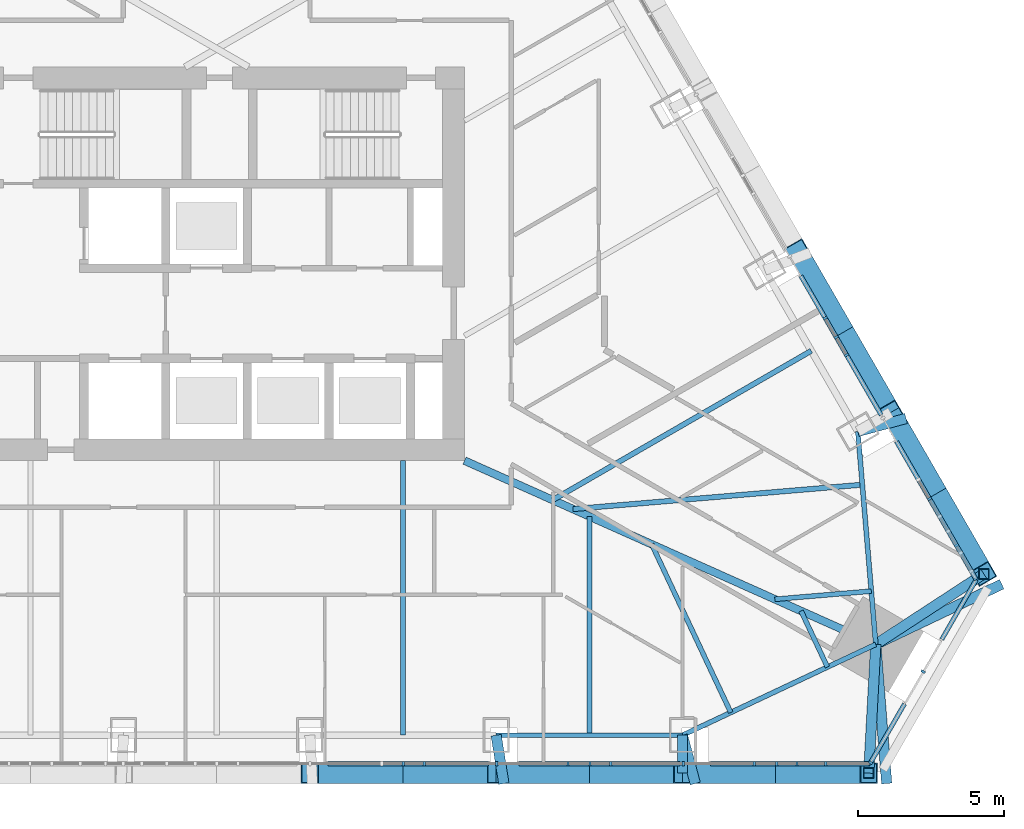
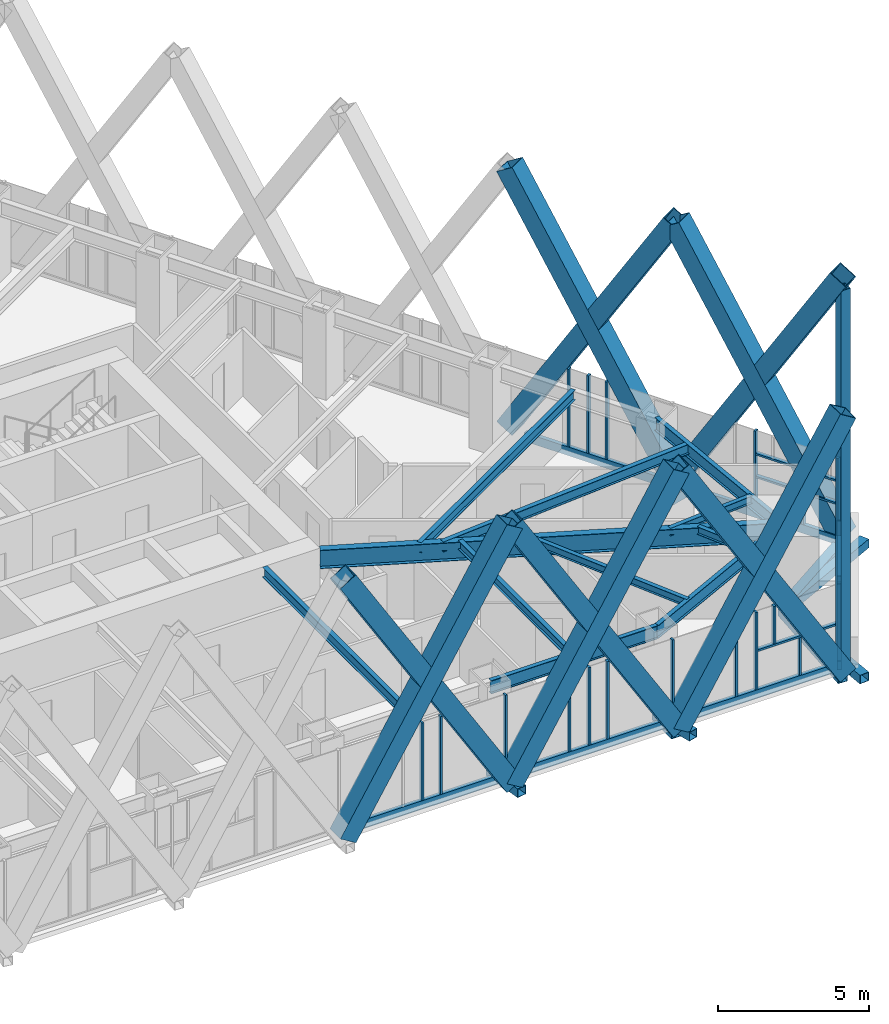
# One storey, part 5 of 21: 49 members, 11 beams, 3 elements without a shape of their own.
"""IFC4 building model written with IfcOpenShell, lengths in metres."""

from ifc_helpers import new_model, si_unit, direction, frame, origin, origin_2d, place, context, subcontext, project, spatial, rectangle, hollow_rectangle, i_section, extrude, material, layer, layer_set, material_profile, profile_set, type_object, element, aggregate, save


model = new_model("IFC4")

# Units and contexts
model_context = context("Model", 3, precision=1e-05, world=origin(), true_north=direction((0.0, 1.0)))
body_context = subcontext(model_context, "Body", "Model", "MODEL_VIEW")
ifc_project = project(units=[si_unit("LENGTHUNIT", "METRE"), si_unit("AREAUNIT", "SQUARE_METRE"), si_unit("VOLUMEUNIT", "CUBIC_METRE"), si_unit("PLANEANGLEUNIT", "RADIAN"), si_unit("MASSUNIT", "GRAM", prefix="KILO")], contexts=[model_context])

# Site, building, storey
site_placement = place(None, origin())
site = spatial("IfcSite", under=ifc_project, at=site_placement, CompositionType="ELEMENT")
building_placement = place(site_placement, origin())
building = spatial("IfcBuilding", under=site, at=building_placement, Name="Firuza Gate Tower and Library", CompositionType="ELEMENT")
storey_placement = place(building_placement, frame((0.0, 0.0, 281.10009765625)))
storey = spatial("IfcBuildingStorey", under=building, at=storey_placement, Name="L67", CompositionType="ELEMENT", Elevation=281.10009765625)

# Members
ifc_material_1 = material(Name="Steel S355", Category="steel")
ifc_material_profile_1 = material_profile(ifc_material_1, hollow_rectangle(XDim=0.699951171875, YDim=0.699951171875, WallThickness=0.030029296875, at=origin_2d()))
ifc_profile_set_1 = profile_set([ifc_material_profile_1], Name="Steel S355")
member_type_1 = type_object("IfcMemberType", Name="BU700x700x30 Lattice brace", PredefinedType="BRACE", material=ifc_profile_set_1)
for number, where, z_axis, x_axis, name in (
    (1, (78.194580078125, 57.531982421875, 0.0), (0.519834148012, 0.0, 0.854267205598), (0.0, 1.0, 0.0), "Lattice brace S 17.5R"),
    (2, (84.583984375, 57.531982421875, 0.0), (-0.519834148012, 0.0, 0.854267205598), (0.0, -1.0, 0.0), "Lattice brace S 17.5L"),
    (3, (84.583984375, 57.531982421875, 0.0), (0.519834148012, 0.0, 0.854267205598), (0.0, 1.0, 0.0), "Lattice brace S 17.6R"),
    (4, (90.973388671875, 57.531982421875, 0.0), (-0.519834148012, 0.0, 0.854267205598), (0.0, -1.0, 0.0), "Lattice brace S 17.6L"),
):
    element("IfcMember", number, at=place(storey_placement, frame(where, z_axis=z_axis, x_axis=x_axis)), inside=storey, type_object=member_type_1, Name=name, PredefinedType="BRACE", context=body_context, shape_type="SweptSolid", body=[
        extrude(hollow_rectangle(XDim=0.699951171875, YDim=0.699951171875, WallThickness=0.030029296875, at=origin_2d()), origin(), (0.0, 0.0, 1.0), 12.291259765625),
    ])
for number, where, z_axis, x_axis, name in (
    (5, (90.973388671875, 57.531982421875, 0.0), (0.519819652329, 0.0, 0.854276026266), (0.0, 1.0, 0.0), "Lattice brace S 17.7R"),
    (6, (97.362548828125, 57.531982421875, 0.0), (-0.519819652329, 0.0, 0.854276026266), (0.0, -1.0, 0.0), "Lattice brace S 17.7L"),
    (7, (101.30908203125, 64.367431640625, 0.0), (-0.259909558467, 0.450178848537, 0.854275146394), (-0.866026504112, -0.499998094172, 0.0), "Lattice brace E 17.1R"),
    (8, (98.114501953125, 69.900634765625, 0.0), (0.259909558467, -0.450178848537, 0.854275146394), (0.866026504112, 0.499998094172, 0.0), "Lattice brace E 17.1L"),
):
    element("IfcMember", number, at=place(storey_placement, frame(where, z_axis=z_axis, x_axis=x_axis)), inside=storey, type_object=member_type_1, Name=name, PredefinedType="BRACE", context=body_context, shape_type="SweptSolid", body=[
        extrude(hollow_rectangle(XDim=0.699951171875, YDim=0.699951171875, WallThickness=0.030029296875, at=origin_2d()), origin(), (0.0, 0.0, 1.0), 12.291015625),
    ])
for number, where, z_axis, x_axis, name in (
    (9, (98.114501953125, 69.900634765625, 0.0), (-0.259925755409, 0.450192361787, 0.854263097098), (-0.866019511163, -0.500010206181, 0.0), "Lattice brace E 17.2R"),
    (10, (94.919677734375, 75.43408203125, 0.0), (0.259925755409, -0.450192361787, 0.854263097098), (0.866019511163, 0.500010206181, 0.0), "Lattice brace E 17.2L"),
):
    element("IfcMember", number, at=place(storey_placement, frame(where, z_axis=z_axis, x_axis=x_axis)), inside=storey, type_object=member_type_1, Name=name, PredefinedType="BRACE", context=body_context, shape_type="SweptSolid", body=[
        extrude(hollow_rectangle(XDim=0.699951171875, YDim=0.699951171875, WallThickness=0.030029296875, at=origin_2d()), origin(), (0.0, 0.0, 1.0), 12.291259765625),
    ])

# Curtain wall, members
ifc_material_2 = material(Name="Aluminium 6063-T6", Category="aluminium")
ifc_layer_1 = layer(ifc_material_2, 0.14990234375)
ifc_layer_set_1 = layer_set([ifc_layer_1], Name="Unitised curtain wall, residences")
curtain_wall_type_1 = type_object("IfcCurtainWallType", Name="Unitised curtain wall, residences", PredefinedType="NOTDEFINED", material=ifc_layer_set_1)
placement = place(storey_placement, origin())
curtain_wall_1 = element("IfcCurtainWall", 11, at=placement, inside=storey, type_object=curtain_wall_type_1, Name="CW3 L67 S face", PredefinedType="NOTDEFINED")
ifc_material_3 = material(Name="Aluminium 6063-T6", Category="aluminium")
ifc_material_profile_2 = material_profile(ifc_material_3, rectangle(XDim=0.14990234375, YDim=0.080078125, at=origin_2d()))
ifc_profile_set_2 = profile_set([ifc_material_profile_2], Name="Aluminium 6063-T6")
member_type_2 = type_object("IfcMemberType", Name="Curtain wall mullion 80x150", PredefinedType="MULLION", material=ifc_profile_set_2)
member_1_placement = place(storey_placement, frame((81.401611328125, 57.85693359375, 0.14990234375), z_axis=(0.0, 0.0, 1.0), x_axis=(0.0, 1.0, 0.0)))
member_1 = element("IfcMember", 12, at=member_1_placement, type_object=member_type_2, Name="Mullion", PredefinedType="MULLION", context=body_context, shape_type="SweptSolid", body=[
    extrude(rectangle(XDim=0.14990234375, YDim=0.080078125, at=origin_2d()), origin(), (0.0, 0.0, 1.0), 3.14990234375),
])
member_2_placement = place(storey_placement, frame((84.6025390625, 57.85693359375, 0.14990234375), z_axis=(0.0, 0.0, 1.0), x_axis=(0.0, 1.0, 0.0)))
member_2 = element("IfcMember", 13, at=member_2_placement, type_object=member_type_2, Name="Mullion", PredefinedType="MULLION", context=body_context, shape_type="SweptSolid", body=[
    extrude(rectangle(XDim=0.14990234375, YDim=0.080078125, at=origin_2d()), origin(), (0.0, 0.0, 1.0), 3.14990234375),
])
member_3_placement = place(storey_placement, frame((87.803466796875, 57.85693359375, 0.14990234375), z_axis=(0.0, 0.0, 1.0), x_axis=(0.0, 1.0, 0.0)))
member_3 = element("IfcMember", 14, at=member_3_placement, type_object=member_type_2, Name="Mullion", PredefinedType="MULLION", context=body_context, shape_type="SweptSolid", body=[
    extrude(rectangle(XDim=0.14990234375, YDim=0.080078125, at=origin_2d()), origin(), (0.0, 0.0, 1.0), 3.14990234375),
])
member_4_placement = place(storey_placement, frame((91.004150390625, 57.85693359375, 0.14990234375), z_axis=(0.0, 0.0, 1.0), x_axis=(0.0, 1.0, 0.0)))
member_4 = element("IfcMember", 15, at=member_4_placement, type_object=member_type_2, Name="Mullion", PredefinedType="MULLION", context=body_context, shape_type="SweptSolid", body=[
    extrude(rectangle(XDim=0.14990234375, YDim=0.080078125, at=origin_2d()), origin(), (0.0, 0.0, 1.0), 3.14990234375),
])
member_5_placement = place(storey_placement, frame((94.205078125, 57.85693359375, 0.14990234375), z_axis=(0.0, 0.0, 1.0), x_axis=(0.0, 1.0, 0.0)))
member_5 = element("IfcMember", 16, at=member_5_placement, type_object=member_type_2, Name="Mullion", PredefinedType="MULLION", context=body_context, shape_type="SweptSolid", body=[
    extrude(rectangle(XDim=0.14990234375, YDim=0.080078125, at=origin_2d()), origin(), (0.0, 0.0, 1.0), 3.14990234375),
])
member_6_placement = place(storey_placement, frame((82.121337890625, 57.85693359375, 0.14990234375), z_axis=(0.0, 0.0, 1.0), x_axis=(0.0, 1.0, 0.0)))
member_6 = element("IfcMember", 17, at=member_6_placement, type_object=member_type_2, Name="Mullion", PredefinedType="MULLION", context=body_context, shape_type="SweptSolid", body=[
    extrude(rectangle(XDim=0.14990234375, YDim=0.080078125, at=origin_2d()), origin(), (0.0, 0.0, 1.0), 3.14990234375),
])
member_7_placement = place(storey_placement, frame((87.046875, 57.85693359375, 0.14990234375), z_axis=(0.0, 0.0, 1.0), x_axis=(0.0, 1.0, 0.0)))
member_7 = element("IfcMember", 18, at=member_7_placement, type_object=member_type_2, Name="Mullion", PredefinedType="MULLION", context=body_context, shape_type="SweptSolid", body=[
    extrude(rectangle(XDim=0.14990234375, YDim=0.080078125, at=origin_2d()), origin(), (0.0, 0.0, 1.0), 3.14990234375),
])
member_8_placement = place(storey_placement, frame((88.510498046875, 57.85693359375, 0.14990234375), z_axis=(0.0, 0.0, 1.0), x_axis=(0.0, 1.0, 0.0)))
member_8 = element("IfcMember", 19, at=member_8_placement, type_object=member_type_2, Name="Mullion", PredefinedType="MULLION", context=body_context, shape_type="SweptSolid", body=[
    extrude(rectangle(XDim=0.14990234375, YDim=0.080078125, at=origin_2d()), origin(), (0.0, 0.0, 1.0), 3.14990234375),
])
member_9_placement = place(storey_placement, frame((93.43603515625, 57.85693359375, 0.14990234375), z_axis=(0.0, 0.0, 1.0), x_axis=(0.0, 1.0, 0.0)))
member_9 = element("IfcMember", 20, at=member_9_placement, type_object=member_type_2, Name="Mullion", PredefinedType="MULLION", context=body_context, shape_type="SweptSolid", body=[
    extrude(rectangle(XDim=0.14990234375, YDim=0.080078125, at=origin_2d()), origin(), (0.0, 0.0, 1.0), 3.14990234375),
])
member_10_placement = place(storey_placement, frame((95.882568359375, 57.85693359375, 0.14990234375), z_axis=(0.0, 0.0, 1.0), x_axis=(0.0, 1.0, 0.0)))
member_10 = element("IfcMember", 21, at=member_10_placement, type_object=member_type_2, Name="Mullion", PredefinedType="MULLION", context=body_context, shape_type="SweptSolid", body=[
    extrude(rectangle(XDim=0.14990234375, YDim=0.080078125, at=origin_2d()), origin(), (0.0, 0.0, 1.0), 1.534912109375),
])
member_11_placement = place(storey_placement, frame((94.89990234375, 57.85693359375, 1.764892578125), z_axis=(0.0, 0.0, 1.0), x_axis=(0.0, 1.0, 0.0)))
member_11 = element("IfcMember", 22, at=member_11_placement, type_object=member_type_2, Name="Mullion", PredefinedType="MULLION", context=body_context, shape_type="SweptSolid", body=[
    extrude(rectangle(XDim=0.14990234375, YDim=0.080078125, at=origin_2d()), origin(), (0.0, 0.0, 1.0), 1.534912109375),
])

ifc_material_4 = material(Name="Aluminium 6063-T6", Category="aluminium")
ifc_layer_2 = layer(ifc_material_4, 0.14990234375)
ifc_layer_set_2 = layer_set([ifc_layer_2], Name="Corner curtain wall, chamfers")
curtain_wall_type_2 = type_object("IfcCurtainWallType", Name="Corner curtain wall, chamfers", PredefinedType="NOTDEFINED", material=ifc_layer_set_2)
curtain_wall_2 = element("IfcCurtainWall", 23, at=placement, inside=storey, type_object=curtain_wall_type_2, Name="CW4 L67 SE corner", PredefinedType="NOTDEFINED")
member_12_placement = place(storey_placement, frame((97.426025390625, 57.8916015625, 0.14990234375), z_axis=(0.0, 0.0, 1.0), x_axis=(-0.866025403784, 0.5, 0.0)))
member_12 = element("IfcMember", 24, at=member_12_placement, type_object=member_type_2, Name="Mullion", PredefinedType="MULLION", context=body_context, shape_type="SweptSolid", body=[
    extrude(rectangle(XDim=0.14990234375, YDim=0.080078125, at=origin_2d()), origin(), (0.0, 0.0, 1.0), 3.14990234375),
])
member_13_placement = place(storey_placement, frame((99.2275390625, 61.01220703125, 0.14990234375), z_axis=(0.0, 0.0, 1.0), x_axis=(-0.866025403784, 0.5, 0.0)))
member_13 = element("IfcMember", 25, at=member_13_placement, type_object=member_type_2, Name="Mullion", PredefinedType="MULLION", context=body_context, shape_type="SweptSolid", body=[
    extrude(rectangle(XDim=0.14990234375, YDim=0.080078125, at=origin_2d()), origin(), (0.0, 0.0, 1.0), 3.14990234375),
])

curtain_wall_3 = element("IfcCurtainWall", 26, at=placement, inside=storey, type_object=curtain_wall_type_1, Name="CW3 L67 E face", PredefinedType="NOTDEFINED")
member_14_placement = place(storey_placement, frame((101.029296875, 64.201904296875, 0.14990234375), z_axis=(0.0, 0.0, 1.0), x_axis=(-0.866025403784, -0.5, 0.0)))
member_14 = element("IfcMember", 27, at=member_14_placement, type_object=member_type_2, Name="Mullion", PredefinedType="MULLION", context=body_context, shape_type="SweptSolid", body=[
    extrude(rectangle(XDim=0.14990234375, YDim=0.080078125, at=origin_2d()), origin(), (0.0, 0.0, 1.0), 3.14990234375),
])
member_15_placement = place(storey_placement, frame((99.44873046875, 66.939453125, 0.14990234375), z_axis=(0.0, 0.0, 1.0), x_axis=(-0.866025403784, -0.5, 0.0)))
member_15 = element("IfcMember", 28, at=member_15_placement, type_object=member_type_2, Name="Mullion", PredefinedType="MULLION", context=body_context, shape_type="SweptSolid", body=[
    extrude(rectangle(XDim=0.14990234375, YDim=0.080078125, at=origin_2d()), origin(), (0.0, 0.0, 1.0), 3.14990234375),
])
member_16_placement = place(storey_placement, frame((96.248046875, 72.4833984375, 0.14990234375), z_axis=(0.0, 0.0, 1.0), x_axis=(-0.866025403784, -0.5, 0.0)))
member_16 = element("IfcMember", 29, at=member_16_placement, type_object=member_type_2, Name="Mullion", PredefinedType="MULLION", context=body_context, shape_type="SweptSolid", body=[
    extrude(rectangle(XDim=0.14990234375, YDim=0.080078125, at=origin_2d()), origin(), (0.0, 0.0, 1.0), 3.14990234375),
])
member_17_placement = place(storey_placement, frame((100.371337890625, 65.341796875, 0.14990234375), z_axis=(0.0, 0.0, 1.0), x_axis=(-0.866025403784, -0.5, 0.0)))
member_17 = element("IfcMember", 30, at=member_17_placement, type_object=member_type_2, Name="Mullion", PredefinedType="MULLION", context=body_context, shape_type="SweptSolid", body=[
    extrude(rectangle(XDim=0.14990234375, YDim=0.080078125, at=origin_2d()), origin(), (0.0, 0.0, 1.0), 1.260009765625),
])
member_18_placement = place(storey_placement, frame((96.6015625, 71.87109375, 0.14990234375), z_axis=(0.0, 0.0, 1.0), x_axis=(-0.866025403784, -0.5, 0.0)))
member_18 = element("IfcMember", 31, at=member_18_placement, type_object=member_type_2, Name="Mullion", PredefinedType="MULLION", context=body_context, shape_type="SweptSolid", body=[
    extrude(rectangle(XDim=0.14990234375, YDim=0.080078125, at=origin_2d()), origin(), (0.0, 0.0, 1.0), 3.14990234375),
])
member_19_placement = place(storey_placement, frame((95.86962890625, 73.138671875, 0.14990234375), z_axis=(0.0, 0.0, 1.0), x_axis=(-0.866025403784, -0.5, 0.0)))
member_19 = element("IfcMember", 32, at=member_19_placement, type_object=member_type_2, Name="Mullion", PredefinedType="MULLION", context=body_context, shape_type="SweptSolid", body=[
    extrude(rectangle(XDim=0.14990234375, YDim=0.080078125, at=origin_2d()), origin(), (0.0, 0.0, 1.0), 3.14990234375),
])

# Member
ifc_material_5 = material(Name="Aluminium 6063-T6", Category="aluminium")
ifc_material_profile_3 = material_profile(ifc_material_5, rectangle(XDim=0.14990234375, YDim=0.35009765625, at=origin_2d()))
ifc_profile_set_3 = profile_set([ifc_material_profile_3], Name="Aluminium 6063-T6")
member_type_3 = type_object("IfcMemberType", Name="Curtain wall transom 350x150", PredefinedType="USERDEFINED", material=ifc_profile_set_3)
member_20_placement = place(storey_placement, frame((78.810302734375, 57.85693359375, -0.025146484375), z_axis=(1.0, 0.0, 0.0), x_axis=(0.0, 1.0, 0.0)))
member_20 = element("IfcMember", 33, at=member_20_placement, type_object=member_type_3, Name="Transom", ObjectType="TRANSOM", PredefinedType="USERDEFINED", context=body_context, shape_type="SweptSolid", body=[
    extrude(rectangle(XDim=0.14990234375, YDim=0.35009765625, at=origin_2d()), origin(), (0.0, 0.0, 1.0), 5.51025390625),
])

member_21_placement = place(storey_placement, frame((85.37548828125, 57.85693359375, -0.025146484375), z_axis=(1.0, 0.0, 0.0), x_axis=(0.0, 1.0, 0.0)))
member_21 = element("IfcMember", 34, at=member_21_placement, type_object=member_type_3, Name="Transom", ObjectType="TRANSOM", PredefinedType="USERDEFINED", context=body_context, shape_type="SweptSolid", body=[
    extrude(rectangle(XDim=0.14990234375, YDim=0.35009765625, at=origin_2d()), origin(), (0.0, 0.0, 1.0), 5.51025390625),
])

member_22_placement = place(storey_placement, frame((91.94091796875, 57.85693359375, -0.025146484375), z_axis=(1.0, 0.0, 0.0), x_axis=(0.0, 1.0, 0.0)))
member_22 = element("IfcMember", 35, at=member_22_placement, type_object=member_type_3, Name="Transom", ObjectType="TRANSOM", PredefinedType="USERDEFINED", context=body_context, shape_type="SweptSolid", body=[
    extrude(rectangle(XDim=0.14990234375, YDim=0.35009765625, at=origin_2d()), origin(), (0.0, 0.0, 1.0), 5.465087890625),
])

member_23_placement = place(storey_placement, frame((97.406005859375, 57.85693359375, -0.025146484375), z_axis=(0.500005632288, 0.866022151957, 0.0), x_axis=(-0.866022151957, 0.500005632288, 0.0)))
member_23 = element("IfcMember", 36, at=member_23_placement, type_object=member_type_3, Name="Transom", ObjectType="TRANSOM", PredefinedType="USERDEFINED", context=body_context, shape_type="SweptSolid", body=[
    extrude(rectangle(XDim=0.14990234375, YDim=0.35009765625, at=origin_2d()), origin(), (0.0, 0.0, 1.0), 2.36328125),
])

member_24_placement = place(storey_placement, frame((99.86767578125, 62.12060546875, -0.025146484375), z_axis=(0.499960902066, 0.86604797581, 0.0), x_axis=(-0.86604797581, 0.499960902066, 0.0)))
member_24 = element("IfcMember", 37, at=member_24_placement, type_object=member_type_3, Name="Transom", ObjectType="TRANSOM", PredefinedType="USERDEFINED", context=body_context, shape_type="SweptSolid", body=[
    extrude(rectangle(XDim=0.14990234375, YDim=0.35009765625, at=origin_2d()), origin(), (0.0, 0.0, 1.0), 2.363525390625),
])

aggregate(curtain_wall_2, [member_12, member_13, member_23, member_24])

member_25_placement = place(storey_placement, frame((101.04931640625, 64.16748046875, -0.025146484375), z_axis=(-0.500016339278, 0.866015970092, 0.0), x_axis=(-0.866015970092, -0.500016339278, 0.0)))
member_25 = element("IfcMember", 38, at=member_25_placement, type_object=member_type_3, Name="Transom", ObjectType="TRANSOM", PredefinedType="USERDEFINED", context=body_context, shape_type="SweptSolid", body=[
    extrude(rectangle(XDim=0.14990234375, YDim=0.35009765625, at=origin_2d()), origin(), (0.0, 0.0, 1.0), 5.465087890625),
])

member_26_placement = place(storey_placement, frame((97.789306640625, 69.81396484375, -0.025146484375), z_axis=(-0.500036938691, 0.866004076171, 0.0), x_axis=(-0.866004076171, -0.500036938691, 0.0)))
member_26 = element("IfcMember", 39, at=member_26_placement, type_object=member_type_3, Name="Transom", ObjectType="TRANSOM", PredefinedType="USERDEFINED", context=body_context, shape_type="SweptSolid", body=[
    extrude(rectangle(XDim=0.14990234375, YDim=0.35009765625, at=origin_2d()), origin(), (0.0, 0.0, 1.0), 5.51025390625),
])

ifc_material_6 = material(Name="Aluminium 6063-T6", Category="aluminium")
ifc_material_profile_4 = material_profile(ifc_material_6, rectangle(XDim=0.14990234375, YDim=0.080078125, at=origin_2d()))
ifc_profile_set_4 = profile_set([ifc_material_profile_4], Name="Aluminium 6063-T6")
member_type_4 = type_object("IfcMemberType", Name="Curtain wall transom 80x150", PredefinedType="USERDEFINED", material=ifc_profile_set_4)
member_27_placement = place(storey_placement, frame((94.2451171875, 57.85693359375, 1.724853515625), z_axis=(1.0, 0.0, 0.0), x_axis=(0.0, 1.0, 0.0)))
member_27 = element("IfcMember", 40, at=member_27_placement, type_object=member_type_4, Name="Transom", ObjectType="TRANSOM", PredefinedType="USERDEFINED", context=body_context, shape_type="SweptSolid", body=[
    extrude(rectangle(XDim=0.14990234375, YDim=0.080078125, at=origin_2d()), origin(), (0.0, 0.0, 1.0), 3.120849609375),
])

aggregate(curtain_wall_1, [member_1, member_2, member_3, member_4, member_5, member_20, member_21, member_22, member_6, member_7, member_8, member_9, member_10, member_11, member_27])

member_28_placement = place(storey_placement, frame((101.029296875, 64.201904296875, 1.449951171875), z_axis=(-0.500009103498, 0.866020147814, 0.0), x_axis=(-0.866020147814, -0.500009103498, 0.0)))
member_28 = element("IfcMember", 41, at=member_28_placement, type_object=member_type_4, Name="Transom", ObjectType="TRANSOM", PredefinedType="USERDEFINED", context=body_context, shape_type="SweptSolid", body=[
    extrude(rectangle(XDim=0.14990234375, YDim=0.080078125, at=origin_2d()), origin(), (0.0, 0.0, 1.0), 3.12109375),
])

member_29_placement = place(storey_placement, frame((101.029296875, 64.201904296875, 2.375), z_axis=(-0.500009103498, 0.866020147814, 0.0), x_axis=(-0.866020147814, -0.500009103498, 0.0)))
member_29 = element("IfcMember", 42, at=member_29_placement, type_object=member_type_4, Name="Transom", ObjectType="TRANSOM", PredefinedType="USERDEFINED", context=body_context, shape_type="SweptSolid", body=[
    extrude(rectangle(XDim=0.14990234375, YDim=0.080078125, at=origin_2d()), origin(), (0.0, 0.0, 1.0), 3.12109375),
])

aggregate(curtain_wall_3, [member_14, member_15, member_16, member_25, member_26, member_17, member_28, member_29, member_18, member_19])

# Members
ifc_material_7 = material(Name="Steel S355", Category="steel")
ifc_material_profile_5 = material_profile(ifc_material_7, hollow_rectangle(XDim=0.355712890625, YDim=0.355712890625, WallThickness=0.014892578125, at=origin_2d()))
ifc_profile_set_5 = profile_set([ifc_material_profile_5], Name="Steel S355")
member_type_5 = type_object("IfcMemberType", Name="HSS356x356x16 Lattice corner stile", PredefinedType="BRACE", material=ifc_profile_set_5)
for number, where, z_axis, x_axis, name in (
    (43, (97.362548828125, 57.531982421875, -0.14013671875), (0.0, 0.0, 1.0), (1.0, 0.0, 0.0), "Lattice corner stile S 17.B"),
    (44, (101.30908203125, 64.367431640625, -0.14013671875), (0.0, 0.0, 1.0), (1.0, 0.0, 0.0), "Lattice corner stile E 17.A"),
):
    element("IfcMember", number, at=place(storey_placement, frame(where, z_axis=z_axis, x_axis=x_axis)), inside=storey, type_object=member_type_5, Name=name, PredefinedType="BRACE", context=body_context, shape_type="SweptSolid", body=[
        extrude(hollow_rectangle(XDim=0.355712890625, YDim=0.355712890625, WallThickness=0.014892578125, at=origin_2d()), origin(), (0.0, 0.0, 1.0), 10.14013671875),
    ])
ifc_material_8 = material(Name="Steel S355", Category="steel")
ifc_material_profile_6 = material_profile(ifc_material_8, hollow_rectangle(XDim=0.355712890625, YDim=0.355712890625, WallThickness=0.014892578125, at=origin_2d()))
ifc_profile_set_6 = profile_set([ifc_material_profile_6], Name="Steel S355")
member_type_6 = type_object("IfcMemberType", Name="HSS356x356x16 Lattice node tie", PredefinedType="BRACE", material=ifc_profile_set_6)
member_30_placement = place(storey_placement, frame((96.988525390625, 69.250732421875, -0.320068359375), z_axis=(0.965392491391, 0.260801337355, 0.0), x_axis=(-0.260801337355, 0.965392491391, 0.0)))
element("IfcMember", 45, at=member_30_placement, inside=storey, type_object=member_type_6, Name="Lattice node tie E L67 435", PredefinedType="BRACE", context=body_context, shape_type="SweptSolid", body=[
    extrude(hollow_rectangle(XDim=0.355712890625, YDim=0.355712890625, WallThickness=0.014892578125, at=origin_2d()), origin(), (0.0, 0.0, 1.0), 1.713134765625),
])
member_31_placement = place(storey_placement, frame((97.603759765625, 61.94970703125, -0.320068359375), z_axis=(0.902515271089, 0.430657851956, 0.0), x_axis=(-0.430657851956, 0.902515271089, 0.0)))
element("IfcMember", 46, at=member_31_placement, inside=storey, type_object=member_type_6, Name="Lattice node tie E L67 437", PredefinedType="BRACE", context=body_context, shape_type="SweptSolid", body=[
    extrude(hollow_rectangle(XDim=0.355712890625, YDim=0.355712890625, WallThickness=0.014892578125, at=origin_2d()), origin(), (0.0, 0.0, 1.0), 4.7880859375),
])
member_32_placement = place(storey_placement, frame((97.603759765625, 61.94970703125, -0.320068359375), z_axis=(0.837485429113, 0.546459656355, 0.0), x_axis=(-0.546459656355, 0.837485429113, 0.0)))
element("IfcMember", 47, at=member_32_placement, inside=storey, type_object=member_type_6, Name="Lattice node tie E L67 438", PredefinedType="BRACE", context=body_context, shape_type="SweptSolid", body=[
    extrude(hollow_rectangle(XDim=0.355712890625, YDim=0.355712890625, WallThickness=0.014892578125, at=origin_2d()), origin(), (0.0, 0.0, 1.0), 4.42431640625),
])
member_33_placement = place(storey_placement, frame((84.583984375, 58.83203125, -0.320068359375), z_axis=(0.157405530455, -0.987534049531, 0.0), x_axis=(0.987534049531, 0.157405530455, 0.0)))
element("IfcMember", 48, at=member_33_placement, inside=storey, type_object=member_type_6, Name="Lattice node tie S L67 446", PredefinedType="BRACE", context=body_context, shape_type="SweptSolid", body=[
    extrude(hollow_rectangle(XDim=0.355712890625, YDim=0.355712890625, WallThickness=0.014892578125, at=origin_2d()), origin(), (0.0, 0.0, 1.0), 1.6767578125),
])
member_34_placement = place(storey_placement, frame((90.973388671875, 58.83203125, -0.320068359375), z_axis=(0.256793327243, -0.966466340378, 0.0), x_axis=(0.966466340378, 0.256793327243, 0.0)))
element("IfcMember", 49, at=member_34_placement, inside=storey, type_object=member_type_6, Name="Lattice node tie S L67 447", PredefinedType="BRACE", context=body_context, shape_type="SweptSolid", body=[
    extrude(hollow_rectangle(XDim=0.355712890625, YDim=0.355712890625, WallThickness=0.014892578125, at=origin_2d()), origin(), (0.0, 0.0, 1.0), 1.713134765625),
])
member_35_placement = place(storey_placement, frame((90.973388671875, 58.83203125, -0.320068359375), z_axis=(0.0, -1.0, 0.0), x_axis=(1.0, 0.0, 0.0)))
element("IfcMember", 50, at=member_35_placement, inside=storey, type_object=member_type_6, Name="Lattice node tie S L67 448", PredefinedType="BRACE", context=body_context, shape_type="SweptSolid", body=[
    extrude(hollow_rectangle(XDim=0.355712890625, YDim=0.355712890625, WallThickness=0.014892578125, at=origin_2d()), origin(), (0.0, 0.0, 1.0), 1.300048828125),
])
member_36_placement = place(storey_placement, frame((97.603759765625, 61.94970703125, -0.320068359375), z_axis=(0.078318433579, -0.996928394099, 0.0), x_axis=(0.996928394099, 0.078318433579, 0.0)))
element("IfcMember", 51, at=member_36_placement, inside=storey, type_object=member_type_6, Name="Lattice node tie S L67 449", PredefinedType="BRACE", context=body_context, shape_type="SweptSolid", body=[
    extrude(hollow_rectangle(XDim=0.355712890625, YDim=0.355712890625, WallThickness=0.014892578125, at=origin_2d()), origin(), (0.0, 0.0, 1.0), 4.7880859375),
])
member_37_placement = place(storey_placement, frame((97.603759765625, 61.94970703125, -0.320068359375), z_axis=(-0.054519511079, -0.998512705433, 0.0), x_axis=(0.998512705433, -0.054519511079, 0.0)))
element("IfcMember", 52, at=member_37_placement, inside=storey, type_object=member_type_6, Name="Lattice node tie S L67 450", PredefinedType="BRACE", context=body_context, shape_type="SweptSolid", body=[
    extrude(hollow_rectangle(XDim=0.355712890625, YDim=0.355712890625, WallThickness=0.014892578125, at=origin_2d()), origin(), (0.0, 0.0, 1.0), 4.42431640625),
])

# Beams
ifc_material_9 = material(Name="Steel S355", Category="steel")
ifc_material_profile_7 = material_profile(ifc_material_9, i_section(OverallWidth=0.1650390625, OverallDepth=0.31005859375, WebThickness=0.005859375, FlangeThickness=0.009765625, at=origin_2d()))
ifc_profile_set_7 = profile_set([ifc_material_profile_7], Name="Steel S355")
beam_type_1 = type_object("IfcBeamType", Name="W310x39 Floor beam", PredefinedType="JOIST", material=ifc_profile_set_7)
beam_1_placement = place(storey_placement, frame((92.630859375, 59.611328125, 3.14501953125), z_axis=(-0.425479956194, 0.904967848532, 0.0), x_axis=(-0.904967848532, -0.425479956194, 0.0)))
element("IfcBeam", 53, at=beam_1_placement, inside=storey, type_object=beam_type_1, Name="Floor beam L67 s30", PredefinedType="JOIST", context=body_context, shape_type="SweptSolid", body=[
    extrude(i_section(OverallWidth=0.1650390625, OverallDepth=0.31005859375, WebThickness=0.005859375, FlangeThickness=0.009765625, at=origin_2d()), origin(), (0.0, 0.0, 1.0), 6.37841796875),
])
beam_2_placement = place(storey_placement, frame((95.9462890625, 61.170166015625, 3.14501953125), z_axis=(-0.425542647258, 0.904938371031, 0.0), x_axis=(-0.904938371031, -0.425542647258, 0.0)))
element("IfcBeam", 54, at=beam_2_placement, inside=storey, type_object=beam_type_1, Name="Floor beam L67 s31", PredefinedType="JOIST", context=body_context, shape_type="SweptSolid", body=[
    extrude(i_section(OverallWidth=0.1650390625, OverallDepth=0.31005859375, WebThickness=0.005859375, FlangeThickness=0.009765625, at=origin_2d()), origin(), (0.0, 0.0, 1.0), 2.126220703125),
])
beam_3_placement = place(storey_placement, frame((97.449951171875, 63.77490234375, 3.14501953125), z_axis=(-0.996467212931, -0.083982697946, 0.0), x_axis=(0.083982697946, -0.996467212931, 0.0)))
element("IfcBeam", 55, at=beam_3_placement, inside=storey, type_object=beam_type_1, Name="Floor beam L67 s40", PredefinedType="JOIST", context=body_context, shape_type="SweptSolid", body=[
    extrude(i_section(OverallWidth=0.1650390625, OverallDepth=0.31005859375, WebThickness=0.005859375, FlangeThickness=0.009765625, at=origin_2d()), origin(), (0.0, 0.0, 1.0), 3.31982421875),
])
ifc_material_10 = material(Name="Steel S355", Category="steel")
ifc_material_profile_8 = material_profile(ifc_material_10, i_section(OverallWidth=0.1708984375, OverallDepth=0.35498046875, WebThickness=0.007080078125, FlangeThickness=0.01171875, at=origin_2d()))
ifc_profile_set_8 = profile_set([ifc_material_profile_8], Name="Steel S355")
beam_type_2 = type_object("IfcBeamType", Name="W360x51 Floor beam", PredefinedType="JOIST", material=ifc_profile_set_8)
beam_4_placement = place(storey_placement, frame((87.778564453125, 58.83203125, 3.122314453125), z_axis=(0.0, 1.0, 0.0), x_axis=(-1.0, 0.0, 0.0)))
element("IfcBeam", 56, at=beam_4_placement, inside=storey, type_object=beam_type_2, Name="Floor beam L67 s24", PredefinedType="JOIST", context=body_context, shape_type="SweptSolid", body=[
    extrude(i_section(OverallWidth=0.1708984375, OverallDepth=0.35498046875, WebThickness=0.007080078125, FlangeThickness=0.01171875, at=origin_2d()), origin(), (0.0, 0.0, 1.0), 7.506591796875),
])
ifc_material_11 = material(Name="Steel S355", Category="steel")
ifc_material_profile_9 = material_profile(ifc_material_11, i_section(OverallWidth=0.177978515625, OverallDepth=0.406982421875, WebThickness=0.0078125, FlangeThickness=0.0126953125, at=origin_2d()))
ifc_profile_set_9 = profile_set([ifc_material_profile_9], Name="Steel S355")
beam_type_3 = type_object("IfcBeamType", Name="W410x60 Floor beam", PredefinedType="JOIST", material=ifc_profile_set_9)
beam_5_placement = place(storey_placement, frame((81.389404296875, 58.83203125, 3.096435546875), z_axis=(0.0, 1.0, 0.0), x_axis=(-1.0, 0.0, 0.0)))
element("IfcBeam", 57, at=beam_5_placement, inside=storey, type_object=beam_type_3, Name="Floor beam L67 s23", PredefinedType="JOIST", context=body_context, shape_type="SweptSolid", body=[
    extrude(i_section(OverallWidth=0.177978515625, OverallDepth=0.406982421875, WebThickness=0.0078125, FlangeThickness=0.0126953125, at=origin_2d()), origin(), (0.0, 0.0, 1.0), 9.41796875),
])
beam_6_placement = place(storey_placement, frame((97.142333984375, 67.425537109375, 3.096435546875), z_axis=(-0.996467212931, -0.083982697946, 0.0), x_axis=(0.083982697946, -0.996467212931, 0.0)))
element("IfcBeam", 58, at=beam_6_placement, inside=storey, type_object=beam_type_3, Name="Floor beam L67 s41", PredefinedType="JOIST", context=body_context, shape_type="SweptSolid", body=[
    extrude(i_section(OverallWidth=0.177978515625, OverallDepth=0.406982421875, WebThickness=0.0078125, FlangeThickness=0.0126953125, at=origin_2d()), origin(), (0.0, 0.0, 1.0), 9.95947265625),
])
beam_7_placement = place(storey_placement, frame((95.391357421875, 72.017333984375, 3.096435546875), z_axis=(-0.866036270578, -0.499981177689, 0.0), x_axis=(0.499981177689, -0.866036270578, 0.0)))
element("IfcBeam", 59, at=beam_7_placement, inside=storey, type_object=beam_type_3, Name="Floor beam L67 s50", PredefinedType="JOIST", context=body_context, shape_type="SweptSolid", body=[
    extrude(i_section(OverallWidth=0.177978515625, OverallDepth=0.406982421875, WebThickness=0.0078125, FlangeThickness=0.0126953125, at=origin_2d()), origin(), (0.0, 0.0, 1.0), 10.23779296875),
])
ifc_material_12 = material(Name="Steel S355", Category="steel")
ifc_material_profile_10 = material_profile(ifc_material_12, i_section(OverallWidth=0.166015625, OverallDepth=0.534912109375, WebThickness=0.01025390625, FlangeThickness=0.0166015625, at=origin_2d()))
ifc_profile_set_10 = profile_set([ifc_material_profile_10], Name="Steel S355")
beam_type_4 = type_object("IfcBeamType", Name="W530x85 Edge beam", PredefinedType="SPANDREL", material=ifc_profile_set_10)
beam_8_placement = place(storey_placement, frame((84.583984375, 58.83203125, 3.032470703125), z_axis=(1.0, 0.0, 0.0), x_axis=(0.0, 1.0, 0.0)))
element("IfcBeam", 60, at=beam_8_placement, inside=storey, type_object=beam_type_4, Name="Edge beam L67 e24", PredefinedType="SPANDREL", context=body_context, shape_type="SweptSolid", body=[
    extrude(i_section(OverallWidth=0.166015625, OverallDepth=0.534912109375, WebThickness=0.01025390625, FlangeThickness=0.0166015625, at=origin_2d()), origin(), (0.0, 0.0, 1.0), 6.389404296875),
])
beam_9_placement = place(storey_placement, frame((90.973388671875, 58.83203125, 3.032470703125), z_axis=(0.904950057905, 0.425517793632, 0.0), x_axis=(-0.425517793632, 0.904950057905, 0.0)))
element("IfcBeam", 61, at=beam_9_placement, inside=storey, type_object=beam_type_4, Name="Edge beam L67 e30", PredefinedType="SPANDREL", context=body_context, shape_type="SweptSolid", body=[
    extrude(i_section(OverallWidth=0.166015625, OverallDepth=0.534912109375, WebThickness=0.01025390625, FlangeThickness=0.0166015625, at=origin_2d()), origin(), (0.0, 0.0, 1.0), 7.32666015625),
])
beam_10_placement = place(storey_placement, frame((97.603759765625, 61.94970703125, 3.032470703125), z_axis=(-0.083969243734, 0.996468346766, 0.0), x_axis=(-0.996468346766, -0.083969243734, 0.0)))
element("IfcBeam", 62, at=beam_10_placement, inside=storey, type_object=beam_type_4, Name="Edge beam L67 e40", PredefinedType="SPANDREL", context=body_context, shape_type="SweptSolid", body=[
    extrude(i_section(OverallWidth=0.166015625, OverallDepth=0.534912109375, WebThickness=0.01025390625, FlangeThickness=0.0166015625, at=origin_2d()), origin(), (0.0, 0.0, 1.0), 7.326904296875),
])
ifc_material_13 = material(Name="Steel S355", Category="steel")
ifc_material_profile_11 = material_profile(ifc_material_13, i_section(OverallWidth=0.264892578125, OverallDepth=0.7529296875, WebThickness=0.01318359375, FlangeThickness=0.01708984375, at=origin_2d()))
ifc_profile_set_11 = profile_set([ifc_material_profile_11], Name="Steel S355")
beam_type_5 = type_object("IfcBeamType", Name="W760x147 Girder", PredefinedType="BEAM", material=ifc_profile_set_11)
beam_11_placement = place(storey_placement, frame((97.603759765625, 61.94970703125, 2.92333984375), z_axis=(-0.913042148656, 0.407865216435, 0.0), x_axis=(-0.407865216435, -0.913042148656, 0.0)))
element("IfcBeam", 63, at=beam_11_placement, inside=storey, type_object=beam_type_5, Name="Girder L67 gSE", PredefinedType="BEAM", context=body_context, shape_type="SweptSolid", body=[
    extrude(i_section(OverallWidth=0.264892578125, OverallDepth=0.7529296875, WebThickness=0.01318359375, FlangeThickness=0.01708984375, at=origin_2d()), origin(), (0.0, 0.0, 1.0), 15.447021484375),
])

save(model, "model.ifc")
